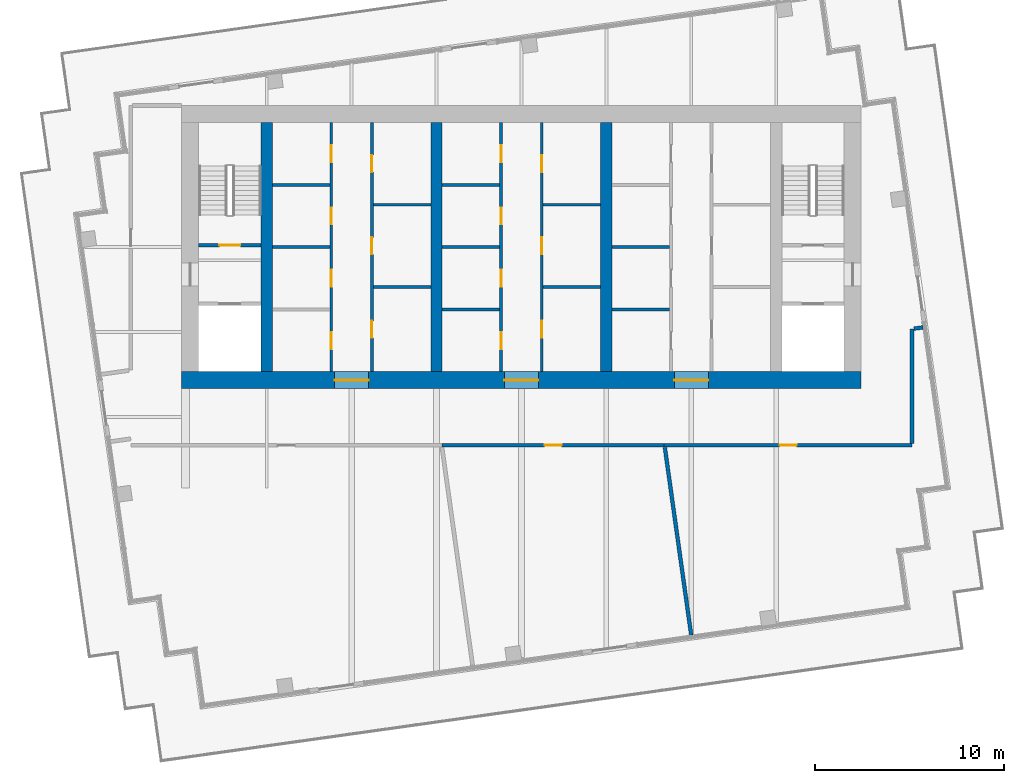
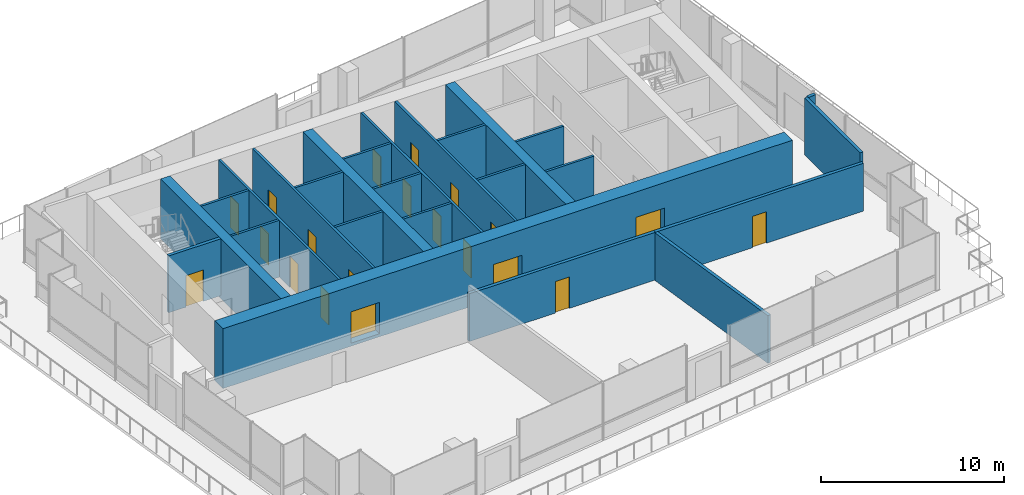
# One storey, part 7 of 12: 25 walls, 20 doors, 20 openings.
"""IFC4 building model written with IfcOpenShell, lengths in metres."""

from ifc_helpers import new_model, si_unit, direction, frame, frame_2d, origin, place, context, subcontext, project, spatial, rectangle, extrude, material, layer, layer_set, type_object, element, fill, save


model = new_model("IFC4")

# Units and contexts
model_context = context("Model", 3, precision=1e-05, world=origin(), true_north=direction((0.0, 1.0)))
body_context = subcontext(model_context, "Body", "Model", "MODEL_VIEW")
ifc_project = project(units=[si_unit("LENGTHUNIT", "METRE"), si_unit("AREAUNIT", "SQUARE_METRE"), si_unit("VOLUMEUNIT", "CUBIC_METRE"), si_unit("PLANEANGLEUNIT", "RADIAN"), si_unit("MASSUNIT", "GRAM", prefix="KILO")], contexts=[model_context])

# Site, building, storey
site_placement = place(None, origin())
site = spatial("IfcSite", under=ifc_project, at=site_placement, CompositionType="ELEMENT")
building_placement = place(site_placement, origin())
building = spatial("IfcBuilding", under=site, at=building_placement, Name="Rattan Terrace Tower", CompositionType="ELEMENT")
storey_placement = place(building_placement, frame((0.0, 0.0, 292.300048828125)))
storey = spatial("IfcBuildingStorey", under=building, at=storey_placement, Name="C01", CompositionType="ELEMENT", Elevation=292.300048828125)

# Wall, openings, doors
ifc_material_1 = material(Name="Gypsum board partition")
ifc_layer_1 = layer(ifc_material_1, 0.14990234375)
ifc_layer_set_1 = layer_set([ifc_layer_1], Name="Core partition 150")
wall_type_1 = type_object("IfcWallType", Name="Core partition 150", PredefinedType="PARTITIONING", material=ifc_layer_set_1)
wall_1_placement = place(storey_placement, frame((-10.074951171875, -6.60009765625, 0.0), z_axis=(0.0, 0.0, 1.0), x_axis=(0.0, 1.0, 0.0)))
wall_1 = element("IfcWall", 1, at=wall_1_placement, inside=storey, type_object=wall_type_1, Name="Core room wall", PredefinedType="PARTITIONING", context=body_context, shape_type="SweptSolid", body=[
    extrude(rectangle(XDim=13.2001953125, YDim=0.14990234375, at=frame_2d((6.60009765625, 0.0))), origin(), (0.0, 0.0, 1.0), 3.800048828125),
])
opening_1_placement = place(wall_1_placement, frame((1.199951171875, 0.0, 0.0)))
opening_1 = element("IfcOpeningElement", 2, at=opening_1_placement, cuts=wall_1, Name="Opening C01-D005", PredefinedType="OPENING", context=body_context, shape_type="SweptSolid", body=[
    extrude(rectangle(XDim=0.89990234375, YDim=2.10009765625, at=frame_2d((0.449951171875, 1.050048828125))), frame((0.0, 0.08544921875, 0.0), z_axis=(0.0, -1.0, 0.0), x_axis=(1.0, 0.0, 0.0)), (0.0, 0.0, 1.0), 0.1708984375),
])
opening_2_placement = place(wall_1_placement, frame((4.5, 0.0, 0.0)))
opening_2 = element("IfcOpeningElement", 3, at=opening_2_placement, cuts=wall_1, Name="Opening C01-D006", PredefinedType="OPENING", context=body_context, shape_type="SweptSolid", body=[
    extrude(rectangle(XDim=0.89990234375, YDim=2.10009765625, at=frame_2d((0.449951171875, 1.050048828125))), frame((0.0, 0.08544921875, 0.0), z_axis=(0.0, -1.0, 0.0), x_axis=(1.0, 0.0, 0.0)), (0.0, 0.0, 1.0), 0.1708984375),
])
opening_3_placement = place(wall_1_placement, frame((7.800048828125, 0.0, 0.0)))
opening_3 = element("IfcOpeningElement", 4, at=opening_3_placement, cuts=wall_1, Name="Opening C01-D007", PredefinedType="OPENING", context=body_context, shape_type="SweptSolid", body=[
    extrude(rectangle(XDim=0.89990234375, YDim=2.10009765625, at=frame_2d((0.449951171875, 1.050048828125))), frame((0.0, 0.08544921875, 0.0), z_axis=(0.0, -1.0, 0.0), x_axis=(1.0, 0.0, 0.0)), (0.0, 0.0, 1.0), 0.1708984375),
])
opening_4_placement = place(wall_1_placement, frame((11.10009765625, 0.0, 0.0)))
opening_4 = element("IfcOpeningElement", 5, at=opening_4_placement, cuts=wall_1, Name="Opening C01-D008", PredefinedType="OPENING", context=body_context, shape_type="SweptSolid", body=[
    extrude(rectangle(XDim=0.89990234375, YDim=2.10009765625, at=frame_2d((0.449951171875, 1.050048828125))), frame((0.0, 0.08544921875, 0.0), z_axis=(0.0, -1.0, 0.0), x_axis=(1.0, 0.0, 0.0)), (0.0, 0.0, 1.0), 0.1708984375),
])
ifc_material_2 = material(Name="Hollow-metal fire door leaf")
door_type_1 = type_object("IfcDoorType", Name="Core service room door 900", OperationType="NOTDEFINED", PredefinedType="DOOR", material=ifc_material_2)
door_1_placement = place(opening_1_placement, origin())
door_1 = element("IfcDoor", 6, at=door_1_placement, inside=storey, type_object=door_type_1, Name="Door C01-D005", OperationType="SINGLE_SWING_LEFT", OverallHeight=2.10009765625, OverallWidth=0.89990234375, PredefinedType="DOOR", context=body_context, shape_type="SweptSolid", body=[
    extrude(rectangle(XDim=0.89990234375, YDim=2.10009765625, at=frame_2d((0.449951171875, 1.050048828125))), frame((0.0, 0.02490234375, 0.0), z_axis=(0.0, -1.0, 0.0), x_axis=(1.0, 0.0, 0.0)), (0.0, 0.0, 1.0), 0.050048828125),
])
fill(opening_1, door_1)
door_2_placement = place(opening_2_placement, origin())
door_2 = element("IfcDoor", 7, at=door_2_placement, inside=storey, type_object=door_type_1, Name="Door C01-D006", OperationType="SINGLE_SWING_RIGHT", OverallHeight=2.10009765625, OverallWidth=0.89990234375, PredefinedType="DOOR", context=body_context, shape_type="SweptSolid", body=[
    extrude(rectangle(XDim=0.89990234375, YDim=2.10009765625, at=frame_2d((0.449951171875, 1.050048828125))), frame((0.0, 0.02490234375, 0.0), z_axis=(0.0, -1.0, 0.0), x_axis=(1.0, 0.0, 0.0)), (0.0, 0.0, 1.0), 0.050048828125),
])
fill(opening_2, door_2)
door_3_placement = place(opening_3_placement, origin())
door_3 = element("IfcDoor", 8, at=door_3_placement, inside=storey, type_object=door_type_1, Name="Door C01-D007", OperationType="SINGLE_SWING_LEFT", OverallHeight=2.10009765625, OverallWidth=0.89990234375, PredefinedType="DOOR", context=body_context, shape_type="SweptSolid", body=[
    extrude(rectangle(XDim=0.89990234375, YDim=2.10009765625, at=frame_2d((0.449951171875, 1.050048828125))), frame((0.0, 0.02490234375, 0.0), z_axis=(0.0, -1.0, 0.0), x_axis=(1.0, 0.0, 0.0)), (0.0, 0.0, 1.0), 0.050048828125),
])
fill(opening_3, door_3)
door_4_placement = place(opening_4_placement, origin())
door_4 = element("IfcDoor", 9, at=door_4_placement, inside=storey, type_object=door_type_1, Name="Door C01-D008", OperationType="SINGLE_SWING_RIGHT", OverallHeight=2.10009765625, OverallWidth=0.89990234375, PredefinedType="DOOR", context=body_context, shape_type="SweptSolid", body=[
    extrude(rectangle(XDim=0.89990234375, YDim=2.10009765625, at=frame_2d((0.449951171875, 1.050048828125))), frame((0.0, 0.02490234375, 0.0), z_axis=(0.0, -1.0, 0.0), x_axis=(1.0, 0.0, 0.0)), (0.0, 0.0, 1.0), 0.050048828125),
])
fill(opening_4, door_4)

# Walls
for number, where, z_axis, x_axis, name in (
    (10, (-13.199951171875, 0.0, 0.0), (0.0, 0.0, 1.0), (1.0, 0.0, 0.0), "Core room wall"),
    (11, (-13.199951171875, 3.300048828125, 0.0), (0.0, 0.0, 1.0), (1.0, 0.0, 0.0), "Core room wall"),
):
    element("IfcWall", number, at=place(storey_placement, frame(where, z_axis=z_axis, x_axis=x_axis)), inside=storey, type_object=wall_type_1, Name=name, PredefinedType="PARTITIONING", context=body_context, shape_type="SweptSolid", body=[
        extrude(rectangle(XDim=3.050048828125, YDim=0.14990234375, at=frame_2d((1.52490234375, 0.0))), origin(), (0.0, 0.0, 1.0), 3.800048828125),
    ])

# Wall, openings, doors
wall_2_placement = place(storey_placement, frame((-7.925048828125, -6.60009765625, 0.0), z_axis=(0.0, 0.0, 1.0), x_axis=(0.0, 1.0, 0.0)))
wall_2 = element("IfcWall", 12, at=wall_2_placement, inside=storey, type_object=wall_type_1, Name="Core room wall", PredefinedType="PARTITIONING", context=body_context, shape_type="SweptSolid", body=[
    extrude(rectangle(XDim=13.2001953125, YDim=0.14990234375, at=frame_2d((6.60009765625, 0.0))), origin(), (0.0, 0.0, 1.0), 3.800048828125),
])
opening_5_placement = place(wall_2_placement, frame((1.7939453125, 0.0, 0.0)))
opening_5 = element("IfcOpeningElement", 13, at=opening_5_placement, cuts=wall_2, Name="Opening C01-D009", PredefinedType="OPENING", context=body_context, shape_type="SweptSolid", body=[
    extrude(rectangle(XDim=0.89990234375, YDim=2.10009765625, at=frame_2d((0.449951171875, 1.050048828125))), frame((0.0, 0.08544921875, 0.0), z_axis=(0.0, -1.0, 0.0), x_axis=(1.0, 0.0, 0.0)), (0.0, 0.0, 1.0), 0.1708984375),
])
opening_6_placement = place(wall_2_placement, frame((6.216064453125, 0.0, 0.0)))
opening_6 = element("IfcOpeningElement", 14, at=opening_6_placement, cuts=wall_2, Name="Opening C01-D010", PredefinedType="OPENING", context=body_context, shape_type="SweptSolid", body=[
    extrude(rectangle(XDim=0.89990234375, YDim=2.10009765625, at=frame_2d((0.449951171875, 1.050048828125))), frame((0.0, 0.08544921875, 0.0), z_axis=(0.0, -1.0, 0.0), x_axis=(1.0, 0.0, 0.0)), (0.0, 0.0, 1.0), 0.1708984375),
])
opening_7_placement = place(wall_2_placement, frame((10.572021484375, 0.0, 0.0)))
opening_7 = element("IfcOpeningElement", 15, at=opening_7_placement, cuts=wall_2, Name="Opening C01-D011", PredefinedType="OPENING", context=body_context, shape_type="SweptSolid", body=[
    extrude(rectangle(XDim=0.89990234375, YDim=2.10009765625, at=frame_2d((0.449951171875, 1.050048828125))), frame((0.0, 0.08544921875, 0.0), z_axis=(0.0, -1.0, 0.0), x_axis=(1.0, 0.0, 0.0)), (0.0, 0.0, 1.0), 0.1708984375),
])
door_5_placement = place(opening_5_placement, origin())
door_5 = element("IfcDoor", 16, at=door_5_placement, inside=storey, type_object=door_type_1, Name="Door C01-D009", OperationType="SINGLE_SWING_LEFT", OverallHeight=2.10009765625, OverallWidth=0.89990234375, PredefinedType="DOOR", context=body_context, shape_type="SweptSolid", body=[
    extrude(rectangle(XDim=0.89990234375, YDim=2.10009765625, at=frame_2d((0.449951171875, 1.050048828125))), frame((0.0, 0.02490234375, 0.0), z_axis=(0.0, -1.0, 0.0), x_axis=(1.0, 0.0, 0.0)), (0.0, 0.0, 1.0), 0.050048828125),
])
fill(opening_5, door_5)
door_6_placement = place(opening_6_placement, origin())
door_6 = element("IfcDoor", 17, at=door_6_placement, inside=storey, type_object=door_type_1, Name="Door C01-D010", OperationType="SINGLE_SWING_RIGHT", OverallHeight=2.10009765625, OverallWidth=0.89990234375, PredefinedType="DOOR", context=body_context, shape_type="SweptSolid", body=[
    extrude(rectangle(XDim=0.89990234375, YDim=2.10009765625, at=frame_2d((0.449951171875, 1.050048828125))), frame((0.0, 0.02490234375, 0.0), z_axis=(0.0, -1.0, 0.0), x_axis=(1.0, 0.0, 0.0)), (0.0, 0.0, 1.0), 0.050048828125),
])
fill(opening_6, door_6)
door_7_placement = place(opening_7_placement, origin())
door_7 = element("IfcDoor", 18, at=door_7_placement, inside=storey, type_object=door_type_1, Name="Door C01-D011", OperationType="SINGLE_SWING_LEFT", OverallHeight=2.10009765625, OverallWidth=0.89990234375, PredefinedType="DOOR", context=body_context, shape_type="SweptSolid", body=[
    extrude(rectangle(XDim=0.89990234375, YDim=2.10009765625, at=frame_2d((0.449951171875, 1.050048828125))), frame((0.0, 0.02490234375, 0.0), z_axis=(0.0, -1.0, 0.0), x_axis=(1.0, 0.0, 0.0)), (0.0, 0.0, 1.0), 0.050048828125),
])
fill(opening_7, door_7)

# Walls
for number, where, z_axis, x_axis, name in (
    (19, (-7.85009765625, -2.112060546875, 0.0), (0.0, 0.0, 1.0), (1.0, 0.0, 0.0), "Core room wall"),
    (20, (-7.85009765625, 2.243896484375, 0.0), (0.0, 0.0, 1.0), (1.0, 0.0, 0.0), "Core room wall"),
):
    element("IfcWall", number, at=place(storey_placement, frame(where, z_axis=z_axis, x_axis=x_axis)), inside=storey, type_object=wall_type_1, Name=name, PredefinedType="PARTITIONING", context=body_context, shape_type="SweptSolid", body=[
        extrude(rectangle(XDim=3.050048828125, YDim=0.14990234375, at=frame_2d((1.52490234375, 0.0))), origin(), (0.0, 0.0, 1.0), 3.800048828125),
    ])

# Wall, openings, doors
wall_3_placement = place(storey_placement, frame((-1.074951171875, -6.60009765625, 0.0), z_axis=(0.0, 0.0, 1.0), x_axis=(0.0, 1.0, 0.0)))
wall_3 = element("IfcWall", 21, at=wall_3_placement, inside=storey, type_object=wall_type_1, Name="Core room wall", PredefinedType="PARTITIONING", context=body_context, shape_type="SweptSolid", body=[
    extrude(rectangle(XDim=13.2001953125, YDim=0.14990234375, at=frame_2d((6.60009765625, 0.0))), origin(), (0.0, 0.0, 1.0), 3.800048828125),
])
opening_8_placement = place(wall_3_placement, frame((1.199951171875, 0.0, 0.0)))
opening_8 = element("IfcOpeningElement", 22, at=opening_8_placement, cuts=wall_3, Name="Opening C01-D013", PredefinedType="OPENING", context=body_context, shape_type="SweptSolid", body=[
    extrude(rectangle(XDim=0.89990234375, YDim=2.10009765625, at=frame_2d((0.449951171875, 1.050048828125))), frame((0.0, 0.08544921875, 0.0), z_axis=(0.0, -1.0, 0.0), x_axis=(1.0, 0.0, 0.0)), (0.0, 0.0, 1.0), 0.1708984375),
])
opening_9_placement = place(wall_3_placement, frame((4.5, 0.0, 0.0)))
opening_9 = element("IfcOpeningElement", 23, at=opening_9_placement, cuts=wall_3, Name="Opening C01-D014", PredefinedType="OPENING", context=body_context, shape_type="SweptSolid", body=[
    extrude(rectangle(XDim=0.89990234375, YDim=2.10009765625, at=frame_2d((0.449951171875, 1.050048828125))), frame((0.0, 0.08544921875, 0.0), z_axis=(0.0, -1.0, 0.0), x_axis=(1.0, 0.0, 0.0)), (0.0, 0.0, 1.0), 0.1708984375),
])
opening_10_placement = place(wall_3_placement, frame((7.800048828125, 0.0, 0.0)))
opening_10 = element("IfcOpeningElement", 24, at=opening_10_placement, cuts=wall_3, Name="Opening C01-D015", PredefinedType="OPENING", context=body_context, shape_type="SweptSolid", body=[
    extrude(rectangle(XDim=0.89990234375, YDim=2.10009765625, at=frame_2d((0.449951171875, 1.050048828125))), frame((0.0, 0.08544921875, 0.0), z_axis=(0.0, -1.0, 0.0), x_axis=(1.0, 0.0, 0.0)), (0.0, 0.0, 1.0), 0.1708984375),
])
opening_11_placement = place(wall_3_placement, frame((11.10009765625, 0.0, 0.0)))
opening_11 = element("IfcOpeningElement", 25, at=opening_11_placement, cuts=wall_3, Name="Opening C01-D016", PredefinedType="OPENING", context=body_context, shape_type="SweptSolid", body=[
    extrude(rectangle(XDim=0.89990234375, YDim=2.10009765625, at=frame_2d((0.449951171875, 1.050048828125))), frame((0.0, 0.08544921875, 0.0), z_axis=(0.0, -1.0, 0.0), x_axis=(1.0, 0.0, 0.0)), (0.0, 0.0, 1.0), 0.1708984375),
])
door_8_placement = place(opening_8_placement, origin())
door_8 = element("IfcDoor", 26, at=door_8_placement, inside=storey, type_object=door_type_1, Name="Door C01-D013", OperationType="SINGLE_SWING_LEFT", OverallHeight=2.10009765625, OverallWidth=0.89990234375, PredefinedType="DOOR", context=body_context, shape_type="SweptSolid", body=[
    extrude(rectangle(XDim=0.89990234375, YDim=2.10009765625, at=frame_2d((0.449951171875, 1.050048828125))), frame((0.0, 0.02490234375, 0.0), z_axis=(0.0, -1.0, 0.0), x_axis=(1.0, 0.0, 0.0)), (0.0, 0.0, 1.0), 0.050048828125),
])
fill(opening_8, door_8)
door_9_placement = place(opening_9_placement, origin())
door_9 = element("IfcDoor", 27, at=door_9_placement, inside=storey, type_object=door_type_1, Name="Door C01-D014", OperationType="SINGLE_SWING_RIGHT", OverallHeight=2.10009765625, OverallWidth=0.89990234375, PredefinedType="DOOR", context=body_context, shape_type="SweptSolid", body=[
    extrude(rectangle(XDim=0.89990234375, YDim=2.10009765625, at=frame_2d((0.449951171875, 1.050048828125))), frame((0.0, 0.02490234375, 0.0), z_axis=(0.0, -1.0, 0.0), x_axis=(1.0, 0.0, 0.0)), (0.0, 0.0, 1.0), 0.050048828125),
])
fill(opening_9, door_9)
door_10_placement = place(opening_10_placement, origin())
door_10 = element("IfcDoor", 28, at=door_10_placement, inside=storey, type_object=door_type_1, Name="Door C01-D015", OperationType="SINGLE_SWING_LEFT", OverallHeight=2.10009765625, OverallWidth=0.89990234375, PredefinedType="DOOR", context=body_context, shape_type="SweptSolid", body=[
    extrude(rectangle(XDim=0.89990234375, YDim=2.10009765625, at=frame_2d((0.449951171875, 1.050048828125))), frame((0.0, 0.02490234375, 0.0), z_axis=(0.0, -1.0, 0.0), x_axis=(1.0, 0.0, 0.0)), (0.0, 0.0, 1.0), 0.050048828125),
])
fill(opening_10, door_10)
door_11_placement = place(opening_11_placement, origin())
door_11 = element("IfcDoor", 29, at=door_11_placement, inside=storey, type_object=door_type_1, Name="Door C01-D016", OperationType="SINGLE_SWING_RIGHT", OverallHeight=2.10009765625, OverallWidth=0.89990234375, PredefinedType="DOOR", context=body_context, shape_type="SweptSolid", body=[
    extrude(rectangle(XDim=0.89990234375, YDim=2.10009765625, at=frame_2d((0.449951171875, 1.050048828125))), frame((0.0, 0.02490234375, 0.0), z_axis=(0.0, -1.0, 0.0), x_axis=(1.0, 0.0, 0.0)), (0.0, 0.0, 1.0), 0.050048828125),
])
fill(opening_11, door_11)

# Walls
for number, where, z_axis, x_axis, name in (
    (30, (-4.199951171875, -3.300048828125, 0.0), (0.0, 0.0, 1.0), (1.0, 0.0, 0.0), "Core room wall"),
    (31, (-4.199951171875, 0.0, 0.0), (0.0, 0.0, 1.0), (1.0, 0.0, 0.0), "Core room wall"),
    (32, (-4.199951171875, 3.300048828125, 0.0), (0.0, 0.0, 1.0), (1.0, 0.0, 0.0), "Core room wall"),
):
    element("IfcWall", number, at=place(storey_placement, frame(where, z_axis=z_axis, x_axis=x_axis)), inside=storey, type_object=wall_type_1, Name=name, PredefinedType="PARTITIONING", context=body_context, shape_type="SweptSolid", body=[
        extrude(rectangle(XDim=3.050048828125, YDim=0.14990234375, at=frame_2d((1.52490234375, 0.0))), origin(), (0.0, 0.0, 1.0), 3.800048828125),
    ])

# Wall, openings, doors
wall_4_placement = place(storey_placement, frame((1.074951171875, -6.60009765625, 0.0), z_axis=(0.0, 0.0, 1.0), x_axis=(0.0, 1.0, 0.0)))
wall_4 = element("IfcWall", 33, at=wall_4_placement, inside=storey, type_object=wall_type_1, Name="Core room wall", PredefinedType="PARTITIONING", context=body_context, shape_type="SweptSolid", body=[
    extrude(rectangle(XDim=13.2001953125, YDim=0.14990234375, at=frame_2d((6.60009765625, 0.0))), origin(), (0.0, 0.0, 1.0), 3.800048828125),
])
opening_12_placement = place(wall_4_placement, frame((1.7939453125, 0.0, 0.0)))
opening_12 = element("IfcOpeningElement", 34, at=opening_12_placement, cuts=wall_4, Name="Opening C01-D017", PredefinedType="OPENING", context=body_context, shape_type="SweptSolid", body=[
    extrude(rectangle(XDim=0.89990234375, YDim=2.10009765625, at=frame_2d((0.449951171875, 1.050048828125))), frame((0.0, 0.08544921875, 0.0), z_axis=(0.0, -1.0, 0.0), x_axis=(1.0, 0.0, 0.0)), (0.0, 0.0, 1.0), 0.1708984375),
])
opening_13_placement = place(wall_4_placement, frame((6.216064453125, 0.0, 0.0)))
opening_13 = element("IfcOpeningElement", 35, at=opening_13_placement, cuts=wall_4, Name="Opening C01-D018", PredefinedType="OPENING", context=body_context, shape_type="SweptSolid", body=[
    extrude(rectangle(XDim=0.89990234375, YDim=2.10009765625, at=frame_2d((0.449951171875, 1.050048828125))), frame((0.0, 0.08544921875, 0.0), z_axis=(0.0, -1.0, 0.0), x_axis=(1.0, 0.0, 0.0)), (0.0, 0.0, 1.0), 0.1708984375),
])
opening_14_placement = place(wall_4_placement, frame((10.572021484375, 0.0, 0.0)))
opening_14 = element("IfcOpeningElement", 36, at=opening_14_placement, cuts=wall_4, Name="Opening C01-D019", PredefinedType="OPENING", context=body_context, shape_type="SweptSolid", body=[
    extrude(rectangle(XDim=0.89990234375, YDim=2.10009765625, at=frame_2d((0.449951171875, 1.050048828125))), frame((0.0, 0.08544921875, 0.0), z_axis=(0.0, -1.0, 0.0), x_axis=(1.0, 0.0, 0.0)), (0.0, 0.0, 1.0), 0.1708984375),
])
door_12_placement = place(opening_12_placement, origin())
door_12 = element("IfcDoor", 37, at=door_12_placement, inside=storey, type_object=door_type_1, Name="Door C01-D017", OperationType="SINGLE_SWING_LEFT", OverallHeight=2.10009765625, OverallWidth=0.89990234375, PredefinedType="DOOR", context=body_context, shape_type="SweptSolid", body=[
    extrude(rectangle(XDim=0.89990234375, YDim=2.10009765625, at=frame_2d((0.449951171875, 1.050048828125))), frame((0.0, 0.02490234375, 0.0), z_axis=(0.0, -1.0, 0.0), x_axis=(1.0, 0.0, 0.0)), (0.0, 0.0, 1.0), 0.050048828125),
])
fill(opening_12, door_12)
door_13_placement = place(opening_13_placement, origin())
door_13 = element("IfcDoor", 38, at=door_13_placement, inside=storey, type_object=door_type_1, Name="Door C01-D018", OperationType="SINGLE_SWING_RIGHT", OverallHeight=2.10009765625, OverallWidth=0.89990234375, PredefinedType="DOOR", context=body_context, shape_type="SweptSolid", body=[
    extrude(rectangle(XDim=0.89990234375, YDim=2.10009765625, at=frame_2d((0.449951171875, 1.050048828125))), frame((0.0, 0.02490234375, 0.0), z_axis=(0.0, -1.0, 0.0), x_axis=(1.0, 0.0, 0.0)), (0.0, 0.0, 1.0), 0.050048828125),
])
fill(opening_13, door_13)
door_14_placement = place(opening_14_placement, origin())
door_14 = element("IfcDoor", 39, at=door_14_placement, inside=storey, type_object=door_type_1, Name="Door C01-D019", OperationType="SINGLE_SWING_LEFT", OverallHeight=2.10009765625, OverallWidth=0.89990234375, PredefinedType="DOOR", context=body_context, shape_type="SweptSolid", body=[
    extrude(rectangle(XDim=0.89990234375, YDim=2.10009765625, at=frame_2d((0.449951171875, 1.050048828125))), frame((0.0, 0.02490234375, 0.0), z_axis=(0.0, -1.0, 0.0), x_axis=(1.0, 0.0, 0.0)), (0.0, 0.0, 1.0), 0.050048828125),
])
fill(opening_14, door_14)

# Walls
for number, where, z_axis, x_axis, name in (
    (40, (1.14990234375, -2.112060546875, 0.0), (0.0, 0.0, 1.0), (1.0, 0.0, 0.0), "Core room wall"),
    (41, (1.14990234375, 2.243896484375, 0.0), (0.0, 0.0, 1.0), (1.0, 0.0, 0.0), "Core room wall"),
    (42, (4.800048828125, -3.300048828125, 0.0), (0.0, 0.0, 1.0), (1.0, 0.0, 0.0), "Core room wall"),
    (43, (4.800048828125, 0.0, 0.0), (0.0, 0.0, 1.0), (1.0, 0.0, 0.0), "Core room wall"),
):
    element("IfcWall", number, at=place(storey_placement, frame(where, z_axis=z_axis, x_axis=x_axis)), inside=storey, type_object=wall_type_1, Name=name, PredefinedType="PARTITIONING", context=body_context, shape_type="SweptSolid", body=[
        extrude(rectangle(XDim=3.050048828125, YDim=0.14990234375, at=frame_2d((1.52490234375, 0.0))), origin(), (0.0, 0.0, 1.0), 3.800048828125),
    ])

# Wall, opening, door
ifc_material_3 = material(Name="Gypsum board partition")
ifc_layer_2 = layer(ifc_material_3, 0.199951171875)
ifc_layer_set_2 = layer_set([ifc_layer_2], Name="Core partition 200")
wall_type_2 = type_object("IfcWallType", Name="Core partition 200", PredefinedType="PARTITIONING", material=ifc_layer_set_2)
wall_5_placement = place(storey_placement, frame((-17.10009765625, 0.10009765625, 0.0), z_axis=(0.0, 0.0, 1.0), x_axis=(1.0, 0.0, 0.0)))
wall_5 = element("IfcWall", 44, at=wall_5_placement, inside=storey, type_object=wall_type_2, Name="Stair enclosure wall", PredefinedType="PARTITIONING", context=body_context, shape_type="SweptSolid", body=[
    extrude(rectangle(XDim=3.300048828125, YDim=0.199951171875, at=frame_2d((1.64990234375, 0.0))), origin(), (0.0, 0.0, 1.0), 3.800048828125),
])
opening_15_placement = place(wall_5_placement, frame((1.10009765625, 0.0, 0.0)))
opening_15 = element("IfcOpeningElement", 45, at=opening_15_placement, cuts=wall_5, Name="Opening C01-D002", PredefinedType="OPENING", context=body_context, shape_type="SweptSolid", body=[
    extrude(rectangle(XDim=1.10009765625, YDim=2.10009765625, at=frame_2d((0.550048828125, 1.050048828125))), frame((0.0, 0.110595703125, 0.0), z_axis=(0.0, -1.0, 0.0), x_axis=(1.0, 0.0, 0.0)), (0.0, 0.0, 1.0), 0.220947265625),
])
ifc_material_4 = material(Name="Hollow-metal fire door leaf")
door_type_2 = type_object("IfcDoorType", Name="Core stair door 1100", OperationType="NOTDEFINED", PredefinedType="DOOR", material=ifc_material_4)
door_15_placement = place(opening_15_placement, origin())
door_15 = element("IfcDoor", 46, at=door_15_placement, inside=storey, type_object=door_type_2, Name="Door C01-D002", OperationType="SINGLE_SWING_RIGHT", OverallHeight=2.10009765625, OverallWidth=1.10009765625, PredefinedType="DOOR", context=body_context, shape_type="SweptSolid", body=[
    extrude(rectangle(XDim=1.10009765625, YDim=2.10009765625, at=frame_2d((0.550048828125, 1.050048828125))), frame((0.0, 0.02490234375, 0.0), z_axis=(0.0, -1.0, 0.0), x_axis=(1.0, 0.0, 0.0)), (0.0, 0.0, 1.0), 0.050048828125),
])
fill(opening_15, door_15)

# Wall, openings, doors
ifc_material_5 = material(Name="Concrete C50/60", Category="concrete")
ifc_layer_3 = layer(ifc_material_5, 0.89990234375)
ifc_layer_set_3 = layer_set([ifc_layer_3], Name="Core ring wall 900 C50/60")
wall_type_3 = type_object("IfcWallType", Name="Core ring wall 900 C50/60", PredefinedType="SHEAR", material=ifc_layer_set_3)
wall_6_placement = place(storey_placement, frame((-18.0, -7.050048828125, -0.199951171875), z_axis=(0.0, 0.0, 1.0), x_axis=(1.0, 0.0, 0.0)))
wall_6 = element("IfcWall", 47, at=wall_6_placement, inside=storey, type_object=wall_type_3, Name="Rear core wall south", PredefinedType="SHEAR", context=body_context, shape_type="SweptSolid", body=[
    extrude(rectangle(XDim=36.0, YDim=0.89990234375, at=frame_2d((18.0, 0.0))), origin(), (0.0, 0.0, 1.0), 4.0),
])
opening_16_placement = place(wall_6_placement, frame((8.10009765625, 0.0, 0.199951171875)))
opening_16 = element("IfcOpeningElement", 48, at=opening_16_placement, cuts=wall_6, Name="Opening C01-D012", PredefinedType="OPENING", context=body_context, shape_type="SweptSolid", body=[
    extrude(rectangle(XDim=1.800048828125, YDim=2.10009765625, at=frame_2d((0.89990234375, 1.050048828125))), frame((0.0, 0.46044921875, 0.0), z_axis=(0.0, -1.0, 0.0), x_axis=(1.0, 0.0, 0.0)), (0.0, 0.0, 1.0), 0.9208984375),
])
opening_17_placement = place(wall_6_placement, frame((17.10009765625, 0.0, 0.199951171875)))
opening_17 = element("IfcOpeningElement", 49, at=opening_17_placement, cuts=wall_6, Name="Opening C01-D020", PredefinedType="OPENING", context=body_context, shape_type="SweptSolid", body=[
    extrude(rectangle(XDim=1.800048828125, YDim=2.10009765625, at=frame_2d((0.89990234375, 1.050048828125))), frame((0.0, 0.46044921875, 0.0), z_axis=(0.0, -1.0, 0.0), x_axis=(1.0, 0.0, 0.0)), (0.0, 0.0, 1.0), 0.9208984375),
])
opening_18_placement = place(wall_6_placement, frame((26.10009765625, 0.0, 0.199951171875)))
opening_18 = element("IfcOpeningElement", 50, at=opening_18_placement, cuts=wall_6, Name="Opening C01-D028", PredefinedType="OPENING", context=body_context, shape_type="SweptSolid", body=[
    extrude(rectangle(XDim=1.800048828125, YDim=2.10009765625, at=frame_2d((0.89990234375, 1.050048828125))), frame((0.0, 0.46044921875, 0.0), z_axis=(0.0, -1.0, 0.0), x_axis=(1.0, 0.0, 0.0)), (0.0, 0.0, 1.0), 0.9208984375),
])
ifc_material_6 = material(Name="Hollow-metal fire door leaf")
door_type_3 = type_object("IfcDoorType", Name="Core service room door 1800", OperationType="NOTDEFINED", PredefinedType="DOOR", material=ifc_material_6)
door_16_placement = place(opening_16_placement, origin())
door_16 = element("IfcDoor", 51, at=door_16_placement, inside=storey, type_object=door_type_3, Name="Door C01-D012", OperationType="SINGLE_SWING_RIGHT", OverallHeight=2.10009765625, OverallWidth=1.800048828125, PredefinedType="DOOR", context=body_context, shape_type="SweptSolid", body=[
    extrude(rectangle(XDim=1.800048828125, YDim=2.10009765625, at=frame_2d((0.89990234375, 1.050048828125))), frame((0.0, 0.02490234375, 0.0), z_axis=(0.0, -1.0, 0.0), x_axis=(1.0, 0.0, 0.0)), (0.0, 0.0, 1.0), 0.050048828125),
])
fill(opening_16, door_16)
door_17_placement = place(opening_17_placement, origin())
door_17 = element("IfcDoor", 52, at=door_17_placement, inside=storey, type_object=door_type_3, Name="Door C01-D020", OperationType="SINGLE_SWING_RIGHT", OverallHeight=2.10009765625, OverallWidth=1.800048828125, PredefinedType="DOOR", context=body_context, shape_type="SweptSolid", body=[
    extrude(rectangle(XDim=1.800048828125, YDim=2.10009765625, at=frame_2d((0.89990234375, 1.050048828125))), frame((0.0, 0.02490234375, 0.0), z_axis=(0.0, -1.0, 0.0), x_axis=(1.0, 0.0, 0.0)), (0.0, 0.0, 1.0), 0.050048828125),
])
fill(opening_17, door_17)
door_18_placement = place(opening_18_placement, origin())
door_18 = element("IfcDoor", 53, at=door_18_placement, inside=storey, type_object=door_type_3, Name="Door C01-D028", OperationType="SINGLE_SWING_RIGHT", OverallHeight=2.10009765625, OverallWidth=1.800048828125, PredefinedType="DOOR", context=body_context, shape_type="SweptSolid", body=[
    extrude(rectangle(XDim=1.800048828125, YDim=2.10009765625, at=frame_2d((0.89990234375, 1.050048828125))), frame((0.0, 0.02490234375, 0.0), z_axis=(0.0, -1.0, 0.0), x_axis=(1.0, 0.0, 0.0)), (0.0, 0.0, 1.0), 0.050048828125),
])
fill(opening_18, door_18)

# Walls
ifc_material_7 = material(Name="Concrete C50/60", Category="concrete")
ifc_layer_4 = layer(ifc_material_7, 0.60009765625)
ifc_layer_set_4 = layer_set([ifc_layer_4], Name="Core spine wall 600 C50/60")
wall_type_4 = type_object("IfcWallType", Name="Core spine wall 600 C50/60", PredefinedType="SHEAR", material=ifc_layer_set_4)
for number, where, z_axis, x_axis, name in (
    (54, (-13.5, -6.60009765625, -0.199951171875), (0.0, 0.0, 1.0), (0.0, 1.0, 0.0), "Core spine wall 1"),
    (55, (-4.5, -6.60009765625, -0.199951171875), (0.0, 0.0, 1.0), (0.0, 1.0, 0.0), "Core spine wall 2"),
    (56, (4.5, -6.60009765625, -0.199951171875), (0.0, 0.0, 1.0), (0.0, 1.0, 0.0), "Core spine wall 3"),
):
    element("IfcWall", number, at=place(storey_placement, frame(where, z_axis=z_axis, x_axis=x_axis)), inside=storey, type_object=wall_type_4, Name=name, PredefinedType="SHEAR", context=body_context, shape_type="SweptSolid", body=[
        extrude(rectangle(XDim=13.2001953125, YDim=0.60009765625, at=frame_2d((6.60009765625, 0.0))), origin(), (0.0, 0.0, 1.0), 4.0),
    ])

# Wall, opening, door
ifc_material_8 = material(Name="Concrete block wall, plastered", Category="concrete")
ifc_layer_5 = layer(ifc_material_8, 0.199951171875)
ifc_layer_set_5 = layer_set([ifc_layer_5], Name="Floors Plant Wall 200")
wall_type_5 = type_object("IfcWallType", Name="Floors Plant Wall 200", PredefinedType="PARTITIONING", material=ifc_layer_set_5)
wall_7_placement = place(storey_placement, frame((7.56298828125, -10.5, 0.0), z_axis=(0.0, 0.0, 1.0), x_axis=(-1.0, 0.0, 0.0)))
wall_7 = element("IfcWall", 57, at=wall_7_placement, inside=storey, type_object=wall_type_5, Name="pt-C01-003", PredefinedType="PARTITIONING", context=body_context, shape_type="SweptSolid", body=[
    extrude(rectangle(XDim=11.76806640625, YDim=0.199951171875, at=frame_2d((5.884033203125, 0.0))), origin(), (0.0, 0.0, 1.0), 3.18994140625),
])
opening_19_placement = place(wall_7_placement, frame((5.43408203125, 0.0, 0.0)))
opening_19 = element("IfcOpeningElement", 58, at=opening_19_placement, cuts=wall_7, Name="Opening C01-D101", PredefinedType="OPENING", context=body_context, shape_type="SweptSolid", body=[
    extrude(rectangle(XDim=0.89990234375, YDim=2.10009765625, at=frame_2d((0.449951171875, 1.050048828125))), frame((0.0, 0.110595703125, 0.0), z_axis=(0.0, -1.0, 0.0), x_axis=(1.0, 0.0, 0.0)), (0.0, 0.0, 1.0), 0.220947265625),
])
ifc_material_9 = material(Name="Steel fire door set", Category="steel")
door_type_4 = type_object("IfcDoorType", Name="Floors Fire Door FD60 900x2100", OperationType="NOTDEFINED", PredefinedType="DOOR", material=ifc_material_9)
door_19_placement = place(opening_19_placement, origin())
door_19 = element("IfcDoor", 59, at=door_19_placement, inside=storey, type_object=door_type_4, Name="d-C01-101", OperationType="SINGLE_SWING_RIGHT", OverallHeight=2.10009765625, OverallWidth=0.89990234375, PredefinedType="DOOR", context=body_context, shape_type="SweptSolid", body=[
    extrude(rectangle(XDim=0.89990234375, YDim=2.10009765625, at=frame_2d((0.449951171875, 1.050048828125))), frame((0.0, 0.02490234375, 0.0), z_axis=(0.0, -1.0, 0.0), x_axis=(1.0, 0.0, 0.0)), (0.0, 0.0, 1.0), 0.050048828125),
])
fill(opening_19, door_19)

wall_8_placement = place(storey_placement, frame((20.699951171875, -10.5, 0.0), z_axis=(0.0, 0.0, 1.0), x_axis=(-1.0, 0.0, 0.0)))
wall_8 = element("IfcWall", 60, at=wall_8_placement, inside=storey, type_object=wall_type_5, Name="pt-C01-004", PredefinedType="PARTITIONING", context=body_context, shape_type="SweptSolid", body=[
    extrude(rectangle(XDim=13.136962890625, YDim=0.199951171875, at=frame_2d((6.568359375, 0.0))), origin(), (0.0, 0.0, 1.0), 3.18994140625),
])
opening_20_placement = place(wall_8_placement, frame((6.118896484375, 0.0, 0.0)))
opening_20 = element("IfcOpeningElement", 61, at=opening_20_placement, cuts=wall_8, Name="Opening C01-D102", PredefinedType="OPENING", context=body_context, shape_type="SweptSolid", body=[
    extrude(rectangle(XDim=0.89990234375, YDim=2.10009765625, at=frame_2d((0.449951171875, 1.050048828125))), frame((0.0, 0.110595703125, 0.0), z_axis=(0.0, -1.0, 0.0), x_axis=(1.0, 0.0, 0.0)), (0.0, 0.0, 1.0), 0.220947265625),
])
door_20_placement = place(opening_20_placement, origin())
door_20 = element("IfcDoor", 62, at=door_20_placement, inside=storey, type_object=door_type_4, Name="d-C01-102", OperationType="SINGLE_SWING_LEFT", OverallHeight=2.10009765625, OverallWidth=0.89990234375, PredefinedType="DOOR", context=body_context, shape_type="SweptSolid", body=[
    extrude(rectangle(XDim=0.89990234375, YDim=2.10009765625, at=frame_2d((0.449951171875, 1.050048828125))), frame((0.0, 0.02490234375, 0.0), z_axis=(0.0, -1.0, 0.0), x_axis=(1.0, 0.0, 0.0)), (0.0, 0.0, 1.0), 0.050048828125),
])
fill(opening_20, door_20)

# Walls
wall_9_placement = place(storey_placement, frame((20.699951171875, -4.339111328125, 0.0), z_axis=(0.0, 0.0, 1.0), x_axis=(0.0, -1.0, 0.0)))
element("IfcWall", 63, at=wall_9_placement, inside=storey, type_object=wall_type_5, Name="pt-C01-005", PredefinedType="PARTITIONING", context=body_context, shape_type="SweptSolid", body=[
    extrude(rectangle(XDim=6.060791015625, YDim=0.199951171875, at=frame_2d((3.0302734375, 0.0))), origin(), (0.0, 0.0, 1.0), 3.800048828125),
])
wall_10_placement = place(storey_placement, frame((21.279052734375, -4.2529296875, 0.0), z_axis=(0.0, 0.0, 1.0), x_axis=(-0.990396892546, -0.138253373325, 0.0)))
element("IfcWall", 64, at=wall_10_placement, inside=storey, type_object=wall_type_5, Name="pt-C01-006", PredefinedType="PARTITIONING", context=body_context, shape_type="SweptSolid", body=[
    extrude(rectangle(XDim=0.485595703125, YDim=0.199951171875, at=frame_2d((0.24267578125, 0.0))), origin(), (0.0, 0.0, 1.0), 3.800048828125),
])
wall_11_placement = place(storey_placement, frame((7.59912109375, -10.614013671875, 0.0), z_axis=(0.0, 0.0, 1.0), x_axis=(0.139131599901, -0.990273900448, 0.0)))
element("IfcWall", 65, at=wall_11_placement, inside=storey, type_object=wall_type_5, Name="pt-C01-011", PredefinedType="PARTITIONING", context=body_context, shape_type="SweptSolid", body=[
    extrude(rectangle(XDim=10.047607421875, YDim=0.199951171875, at=frame_2d((5.02392578125, 0.0))), origin(), (0.0, 0.0, 1.0), 3.18994140625),
])

save(model, "model.ifc")
